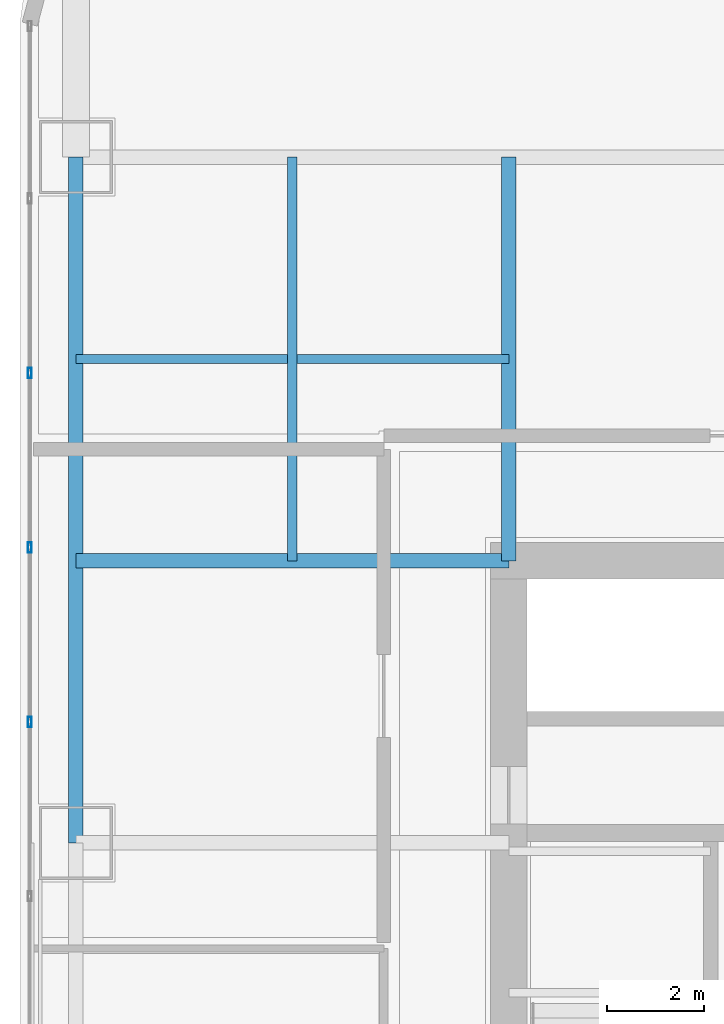
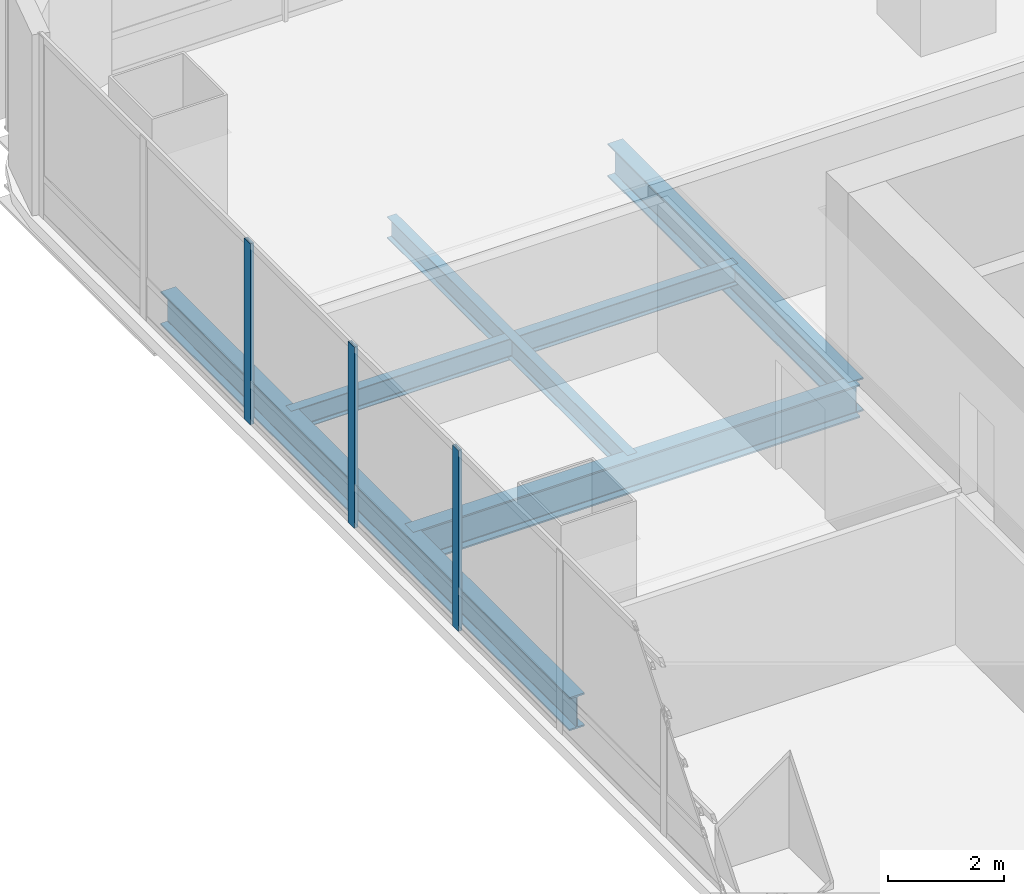
# One storey, part 11 of 35: 5 beams, 3 members, 1 element without a shape of its own.
"""IFC4 building model written with IfcOpenShell, lengths in metres."""

from ifc_helpers import new_model, si_unit, direction, frame, origin, origin_2d, place, context, subcontext, project, spatial, hollow_rectangle, i_section, extrude, material, material_profile, profile_set, type_object, element, aggregate, save


model = new_model("IFC4")

# Units and contexts
model_context = context("Model", 3, precision=1e-05, world=origin(), true_north=direction((0.0, 1.0)))
body_context = subcontext(model_context, "Body", "Model", "MODEL_VIEW")
ifc_project = project(units=[si_unit("LENGTHUNIT", "METRE"), si_unit("AREAUNIT", "SQUARE_METRE"), si_unit("VOLUMEUNIT", "CUBIC_METRE"), si_unit("PLANEANGLEUNIT", "RADIAN"), si_unit("MASSUNIT", "GRAM", prefix="KILO")], contexts=[model_context])

# Site, building, storey
site_placement = place(None, origin())
site = spatial("IfcSite", under=ifc_project, at=site_placement, CompositionType="ELEMENT")
building_placement = place(site_placement, origin())
building = spatial("IfcBuilding", under=site, at=building_placement, Name="Punatoya Terracotta Tower", CompositionType="ELEMENT")
storey_placement = place(building_placement, frame((0.0, 0.0, 113.25)))
storey = spatial("IfcBuildingStorey", under=building, at=storey_placement, Name="L26", CompositionType="ELEMENT", Elevation=113.25)

# Beams
ifc_material_1 = material(Name="Steel S355", Category="steel")
ifc_material_profile_1 = material_profile(ifc_material_1, i_section(OverallWidth=0.300048828125, OverallDepth=0.699951171875, WebThickness=0.01708984375, FlangeThickness=0.031982421875, FilletRadius=0.01806640625, at=origin_2d()))
ifc_profile_set_1 = profile_set([ifc_material_profile_1], Name="Steel S355")
beam_type_1 = type_object("IfcBeamType", Name="BM-PRI-700", PredefinedType="BEAM", material=ifc_profile_set_1)
beam_1_placement = place(storey_placement, frame((-19.10009765625, 3.39990234375, -0.590087890625), z_axis=(0.0, 1.0, 0.0), x_axis=(-1.0, 0.0, 0.0)))
element("IfcBeam", 1, at=beam_1_placement, inside=storey, type_object=beam_type_1, Name="BM-L26-RG-W3", PredefinedType="BEAM", context=body_context, shape_type="SweptSolid", body=[
    extrude(i_section(OverallWidth=0.300048828125, OverallDepth=0.699951171875, WebThickness=0.01708984375, FlangeThickness=0.031982421875, FilletRadius=0.01806640625, at=origin_2d()), origin(), (0.0, 0.0, 1.0), 14.10009765625),
])
beam_2_placement = place(storey_placement, frame((-19.10009765625, 9.199951171875, -0.590087890625), z_axis=(1.0, 0.0, 0.0), x_axis=(0.0, 1.0, 0.0)))
element("IfcBeam", 2, at=beam_2_placement, inside=storey, type_object=beam_type_1, Name="BM-L26-PR-WN", PredefinedType="BEAM", context=body_context, shape_type="SweptSolid", body=[
    extrude(i_section(OverallWidth=0.300048828125, OverallDepth=0.699951171875, WebThickness=0.01708984375, FlangeThickness=0.031982421875, FilletRadius=0.01806640625, at=origin_2d()), origin(), (0.0, 0.0, 1.0), 8.900146484375),
])
beam_3_placement = place(storey_placement, frame((-10.199951171875, 9.199951171875, -0.590087890625), z_axis=(0.0, 1.0, 0.0), x_axis=(-1.0, 0.0, 0.0)))
element("IfcBeam", 3, at=beam_3_placement, inside=storey, type_object=beam_type_1, Name="BM-L26-PR-N1", PredefinedType="BEAM", context=body_context, shape_type="SweptSolid", body=[
    extrude(i_section(OverallWidth=0.300048828125, OverallDepth=0.699951171875, WebThickness=0.01708984375, FlangeThickness=0.031982421875, FilletRadius=0.01806640625, at=origin_2d()), origin(), (0.0, 0.0, 1.0), 8.300048828125),
])
ifc_material_profile_2 = material_profile(ifc_material_1, i_section(OverallWidth=0.18994140625, OverallDepth=0.449951171875, WebThickness=0.009521484375, FlangeThickness=0.0146484375, FilletRadius=0.01806640625, at=origin_2d()))
ifc_profile_set_2 = profile_set([ifc_material_profile_2], Name="Steel S355")
beam_type_2 = type_object("IfcBeamType", Name="BM-SEC-450", PredefinedType="JOIST", material=ifc_profile_set_2)
beam_4_placement = place(storey_placement, frame((-19.10009765625, 13.35009765625, -0.465087890625), z_axis=(1.0, 0.0, 0.0), x_axis=(0.0, 1.0, 0.0)))
element("IfcBeam", 4, at=beam_4_placement, inside=storey, type_object=beam_type_2, Name="BM-L26-SJN-1", PredefinedType="JOIST", context=body_context, shape_type="SweptSolid", body=[
    extrude(i_section(OverallWidth=0.18994140625, OverallDepth=0.449951171875, WebThickness=0.009521484375, FlangeThickness=0.0146484375, FilletRadius=0.01806640625, at=origin_2d()), origin(), (0.0, 0.0, 1.0), 8.900146484375),
])
beam_5_placement = place(storey_placement, frame((-14.64990234375, 9.199951171875, -0.465087890625), z_axis=(0.0, 1.0, 0.0), x_axis=(-1.0, 0.0, 0.0)))
element("IfcBeam", 5, at=beam_5_placement, inside=storey, type_object=beam_type_2, Name="BM-L26-SJW-2", PredefinedType="JOIST", context=body_context, shape_type="SweptSolid", body=[
    extrude(i_section(OverallWidth=0.18994140625, OverallDepth=0.449951171875, WebThickness=0.009521484375, FlangeThickness=0.0146484375, FilletRadius=0.01806640625, at=origin_2d()), origin(), (0.0, 0.0, 1.0), 8.300048828125),
])

# Curtain wall, members
ifc_material_2 = material(Name="Aluminium 6063-T6 + Double Low-E Glass", Category="aluminium")
curtain_wall_type = type_object("IfcCurtainWallType", Name="CW-M1", PredefinedType="NOTDEFINED", material=ifc_material_2)
curtain_wall_placement = place(storey_placement, origin())
curtain_wall = element("IfcCurtainWall", 6, at=curtain_wall_placement, inside=storey, type_object=curtain_wall_type, Name="L26 Curtain Wall CW-L26-W12-1", PredefinedType="NOTDEFINED")
ifc_material_3 = material(Name="Aluminium 6063-T6", Category="aluminium")
ifc_material_profile_3 = material_profile(ifc_material_3, hollow_rectangle(XDim=0.074951171875, YDim=0.2099609375, WallThickness=0.00439453125, at=origin_2d()))
ifc_profile_set_3 = profile_set([ifc_material_profile_3], Name="Aluminium 6063-T6")
member_type = type_object("IfcMemberType", Name="CW-MUL-M1", PredefinedType="MULLION", material=ifc_profile_set_3)
member_1_placement = place(storey_placement, frame((-20.050048828125, 13.06201171875, 0.0), z_axis=(0.0, 0.0, 1.0), x_axis=(1.0, 0.0, 0.0)))
member_1 = element("IfcMember", 7, at=member_1_placement, type_object=member_type, Name="CW-L26-W12-1 Mullion 02", PredefinedType="MULLION", context=body_context, shape_type="SweptSolid", body=[
    extrude(hollow_rectangle(XDim=0.074951171875, YDim=0.2099609375, WallThickness=0.00439453125, at=origin_2d()), origin(), (0.0, 0.0, 1.0), 3.81005859375),
])
member_2_placement = place(storey_placement, frame((-20.050048828125, 9.474609375, 0.0), z_axis=(0.0, 0.0, 1.0), x_axis=(1.0, 0.0, 0.0)))
member_2 = element("IfcMember", 8, at=member_2_placement, type_object=member_type, Name="CW-L26-W12-1 Mullion 03", PredefinedType="MULLION", context=body_context, shape_type="SweptSolid", body=[
    extrude(hollow_rectangle(XDim=0.074951171875, YDim=0.2099609375, WallThickness=0.00439453125, at=origin_2d()), origin(), (0.0, 0.0, 1.0), 3.81005859375),
])
member_3_placement = place(storey_placement, frame((-20.050048828125, 5.88720703125, 0.0), z_axis=(0.0, 0.0, 1.0), x_axis=(1.0, 0.0, 0.0)))
member_3 = element("IfcMember", 9, at=member_3_placement, type_object=member_type, Name="CW-L26-W12-1 Mullion 04", PredefinedType="MULLION", context=body_context, shape_type="SweptSolid", body=[
    extrude(hollow_rectangle(XDim=0.074951171875, YDim=0.2099609375, WallThickness=0.00439453125, at=origin_2d()), origin(), (0.0, 0.0, 1.0), 3.81005859375),
])
aggregate(curtain_wall, [member_1, member_2, member_3])

save(model, "model.ifc")
